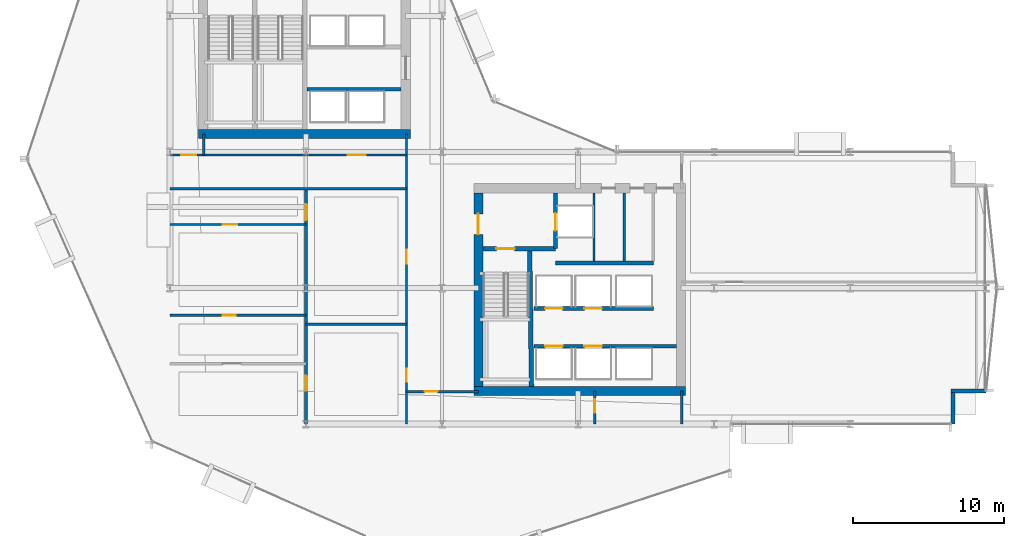
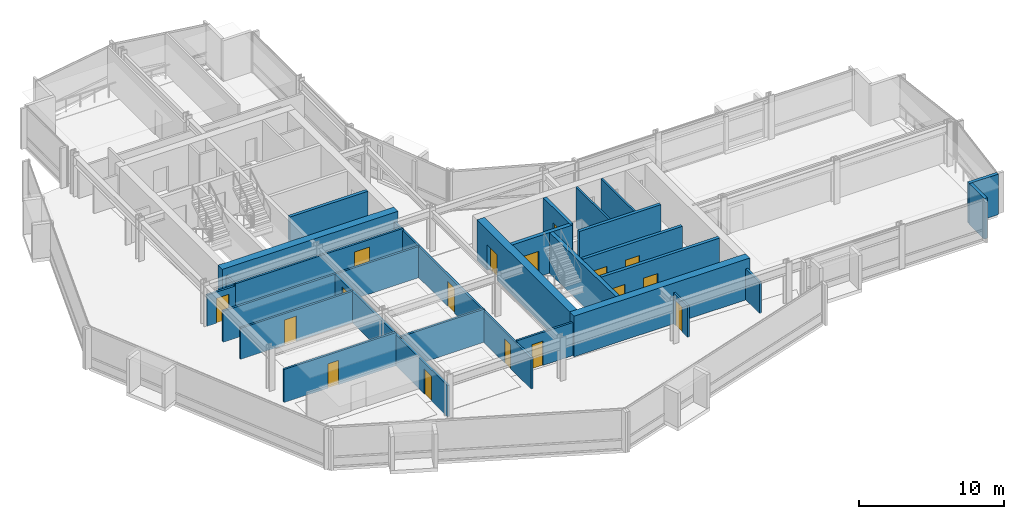
# One storey, part 27 of 34: 26 walls, 17 doors, 17 openings.
"""IFC4 building model written with IfcOpenShell, lengths in metres."""

from ifc_helpers import new_model, si_unit, direction, frame, frame_2d, origin, place, context, subcontext, project, spatial, rectangle, extrude, material, layer, layer_set, type_object, element, fill, save


model = new_model("IFC4")

# Units and contexts
model_context = context("Model", 3, precision=1e-05, world=origin(), true_north=direction((0.0, 1.0)))
body_context = subcontext(model_context, "Body", "Model", "MODEL_VIEW")
ifc_project = project(units=[si_unit("LENGTHUNIT", "METRE"), si_unit("AREAUNIT", "SQUARE_METRE"), si_unit("VOLUMEUNIT", "CUBIC_METRE"), si_unit("PLANEANGLEUNIT", "RADIAN"), si_unit("MASSUNIT", "GRAM", prefix="KILO")], contexts=[model_context])

# Site, building, storey
site_placement = place(None, origin())
site = spatial("IfcSite", under=ifc_project, at=site_placement, CompositionType="ELEMENT")
building_placement = place(site_placement, origin())
building = spatial("IfcBuilding", under=site, at=building_placement, Name="Solvaryn Broadcast Tower", CompositionType="ELEMENT")
storey_placement = place(building_placement, frame((0.0, 0.0, 61.89990234375)))
storey = spatial("IfcBuildingStorey", under=building, at=storey_placement, Name="L14", CompositionType="ELEMENT", Elevation=61.89990234375)

# Walls
ifc_material_1 = material(Name="Concrete f'c 70 MPa", Category="concrete")
ifc_layer_1 = layer(ifc_material_1, 0.60009765625)
ifc_layer_set_1 = layer_set([ifc_layer_1], Name="CW-SHEAR-600")
wall_type_1 = type_object("IfcWallType", Name="CW-SHEAR-600", PredefinedType="SHEAR", material=ifc_layer_set_1)
for number, where, z_axis, x_axis, name in (
    (1, (10.89990234375, 28.199951171875, 0.0), (0.0, 0.0, 1.0), (1.0, 0.0, 0.0), "L14 West Core South Shear Wall"),
    (2, (29.10009765625, 11.199951171875, 0.0), (0.0, 0.0, 1.0), (1.0, 0.0, 0.0), "L14 East Core South Shear Wall"),
):
    element("IfcWall", number, at=place(storey_placement, frame(where, z_axis=z_axis, x_axis=x_axis)), inside=storey, type_object=wall_type_1, Name=name, PredefinedType="SHEAR", context=body_context, shape_type="SweptSolid", body=[
        extrude(rectangle(XDim=14.0, YDim=0.60009765625, at=frame_2d((7.0, 0.0))), origin(), (0.0, 0.0, 1.0), 3.420166015625),
    ])

# Wall, opening, door
wall_1_placement = place(storey_placement, frame((29.39990234375, 24.300048828125, 0.0), z_axis=(0.0, 0.0, 1.0), x_axis=(0.0, -1.0, 0.0)))
wall_1 = element("IfcWall", 3, at=wall_1_placement, inside=storey, type_object=wall_type_1, Name="L14 East Core West Shear Wall", PredefinedType="SHEAR", context=body_context, shape_type="SweptSolid", body=[
    extrude(rectangle(XDim=12.800048828125, YDim=0.60009765625, at=frame_2d((6.39990234375, 0.0))), origin(), (0.0, 0.0, 1.0), 3.420166015625),
])
opening_1_placement = place(wall_1_placement, frame((1.39990234375, 0.0, 0.0)))
opening_1 = element("IfcOpeningElement", 4, at=opening_1_placement, cuts=wall_1, Name="Opening FD90B", PredefinedType="OPENING", context=body_context, shape_type="SweptSolid", body=[
    extrude(rectangle(XDim=1.35009765625, YDim=2.14990234375, at=frame_2d((0.675048828125, 1.074951171875))), frame((0.0, 0.31005859375, 0.0), z_axis=(0.0, -1.0, 0.0), x_axis=(1.0, 0.0, 0.0)), (0.0, 0.0, 1.0), 0.6201171875),
])
ifc_material_2 = material(Name="Flush Acoustic Steel and Timber Door Assembly", Category="steel")
door_type_1 = type_object("IfcDoorType", Name="FD90-LOBBY-1350X2150", OperationType="NOTDEFINED", PredefinedType="DOOR", material=ifc_material_2)
door_1_placement = place(opening_1_placement, origin())
door_1 = element("IfcDoor", 5, at=door_1_placement, inside=storey, type_object=door_type_1, Name="L14 East FSAE Lobby Door", OperationType="SINGLE_SWING_RIGHT", OverallHeight=2.14990234375, OverallWidth=1.35009765625, PredefinedType="DOOR", context=body_context, shape_type="SweptSolid", body=[
    extrude(rectangle(XDim=1.35009765625, YDim=2.14990234375, at=frame_2d((0.675048828125, 1.074951171875))), frame((0.0, 0.02490234375, 0.0), z_axis=(0.0, -1.0, 0.0), x_axis=(1.0, 0.0, 0.0)), (0.0, 0.0, 1.0), 0.050048828125),
])
fill(opening_1, door_1)

# Walls
ifc_material_3 = material(Name="Concrete f'c 50 MPa", Category="concrete")
ifc_layer_2 = layer(ifc_material_3, 0.260009765625)
ifc_layer_set_2 = layer_set([ifc_layer_2], Name="EW-PIER-260")
wall_type_2 = type_object("IfcWallType", Name="EW-PIER-260", PredefinedType="SOLIDWALL", material=ifc_layer_set_2)
wall_2_placement = place(storey_placement, frame((60.800048828125, 9.0, 0.0), z_axis=(0.0, 0.0, 1.0), x_axis=(0.0, 1.0, 0.0)))
element("IfcWall", 6, at=wall_2_placement, inside=storey, type_object=wall_type_2, Name="L14 Notched Corner Pier Wall NSE1", PredefinedType="SOLIDWALL", context=body_context, shape_type="SweptSolid", body=[
    extrude(rectangle(XDim=2.080078125, YDim=0.260009765625, at=frame_2d((1.0400390625, 0.0))), origin(), (0.0, 0.0, 1.0), 3.420166015625),
])
wall_3_placement = place(storey_placement, frame((60.679931640625, 11.199951171875, 0.0), z_axis=(0.0, 0.0, 1.0), x_axis=(1.0, 0.0, 0.0)))
element("IfcWall", 7, at=wall_3_placement, inside=storey, type_object=wall_type_2, Name="L14 Notched Corner Pier Wall NSE2", PredefinedType="SOLIDWALL", context=body_context, shape_type="SweptSolid", body=[
    extrude(rectangle(XDim=2.320068359375, YDim=0.260009765625, at=frame_2d((1.16015625, 0.0))), origin(), (0.0, 0.0, 1.0), 3.420166015625),
])
ifc_material_4 = material(Name="Metal-Stud Service Core Partition")
ifc_layer_3 = layer(ifc_material_4, 0.14990234375)
ifc_layer_set_3 = layer_set([ifc_layer_3], Name="IW-PART-150")
wall_type_3 = type_object("IfcWallType", Name="IW-PART-150", PredefinedType="PARTITIONING", material=ifc_layer_set_3)
for number, where, z_axis, x_axis, name in (
    (8, (37.050048828125, 19.780029296875, 0.0), (0.0, 0.0, 1.0), (0.0, 1.0, 0.0), "L14 Interior Partition IW-L14-CE-FL2E"),
    (9, (39.050048828125, 19.780029296875, 0.0), (0.0, 0.0, 1.0), (0.0, 1.0, 0.0), "L14 Interior Partition IW-L14-CE-V1"),
):
    element("IfcWall", number, at=place(storey_placement, frame(where, z_axis=z_axis, x_axis=x_axis)), inside=storey, type_object=wall_type_3, Name=name, PredefinedType="PARTITIONING", context=body_context, shape_type="SweptSolid", body=[
        extrude(rectangle(XDim=4.52001953125, YDim=0.14990234375, at=frame_2d((2.260009765625, 0.0))), origin(), (0.0, 0.0, 1.0), 3.420166015625),
    ])

# Wall, opening, door
wall_4_placement = place(storey_placement, frame((37.10009765625, 9.0, 0.0), z_axis=(0.0, 0.0, 1.0), x_axis=(0.0, 1.0, 0.0)))
wall_4 = element("IfcWall", 10, at=wall_4_placement, inside=storey, type_object=wall_type_3, Name="L14 Interior Partition IW-L14-SC-V", PredefinedType="PARTITIONING", context=body_context, shape_type="SweptSolid", body=[
    extrude(rectangle(XDim=2.199951171875, YDim=0.14990234375, at=frame_2d((1.10009765625, 0.0))), origin(), (0.0, 0.0, 1.0), 2.627197265625),
])
opening_2_placement = place(wall_4_placement, frame((0.75, 0.0, 0.0)))
opening_2 = element("IfcOpeningElement", 11, at=opening_2_placement, cuts=wall_4, Name="Opening FD60C", PredefinedType="OPENING", context=body_context, shape_type="SweptSolid", body=[
    extrude(rectangle(XDim=0.89990234375, YDim=2.10009765625, at=frame_2d((0.449951171875, 1.050048828125))), frame((0.0, 0.0849609375, 0.0), z_axis=(0.0, -1.0, 0.0), x_axis=(1.0, 0.0, 0.0)), (0.0, 0.0, 1.0), 0.169921875),
])
ifc_material_5 = material(Name="Flush Acoustic Steel and Timber Door Assembly", Category="steel")
door_type_2 = type_object("IfcDoorType", Name="FD60-SERV-900X2100", OperationType="NOTDEFINED", PredefinedType="DOOR", material=ifc_material_5)
door_2_placement = place(opening_2_placement, origin())
door_2 = element("IfcDoor", 12, at=door_2_placement, inside=storey, type_object=door_type_2, Name="L14 Door DR-L14-SC1", OperationType="SINGLE_SWING_RIGHT", OverallHeight=2.10009765625, OverallWidth=0.89990234375, PredefinedType="DOOR", context=body_context, shape_type="SweptSolid", body=[
    extrude(rectangle(XDim=0.89990234375, YDim=2.10009765625, at=frame_2d((0.449951171875, 1.050048828125))), frame((0.0, 0.02490234375, 0.0), z_axis=(0.0, -1.0, 0.0), x_axis=(1.0, 0.0, 0.0)), (0.0, 0.0, 1.0), 0.050048828125),
])
fill(opening_2, door_2)

ifc_material_6 = material(Name="Metal-Stud Gypsum Office Partition")
ifc_layer_4 = layer(ifc_material_6, 0.159912109375)
ifc_layer_set_4 = layer_set([ifc_layer_4], Name="IW-PART-160")
wall_type_4 = type_object("IfcWallType", Name="IW-PART-160", PredefinedType="PARTITIONING", material=ifc_layer_set_4)
wall_5_placement = place(storey_placement, frame((9.0, 26.800048828125, 0.0), z_axis=(0.0, 0.0, 1.0), x_axis=(1.0, 0.0, 0.0)))
wall_5 = element("IfcWall", 13, at=wall_5_placement, inside=storey, type_object=wall_type_4, Name="L14 Interior Partition IW-L14-WM-S", PredefinedType="PARTITIONING", context=body_context, shape_type="SweptSolid", body=[
    extrude(rectangle(XDim=2.25, YDim=0.159912109375, at=frame_2d((1.125, 0.0))), origin(), (0.0, 0.0, 1.0), 2.627197265625),
])
opening_3_placement = place(wall_5_placement, frame((0.75, 0.0, 0.0)))
opening_3 = element("IfcOpeningElement", 14, at=opening_3_placement, cuts=wall_5, Name="Opening ID02", PredefinedType="OPENING", context=body_context, shape_type="SweptSolid", body=[
    extrude(rectangle(XDim=1.0, YDim=2.10009765625, at=frame_2d((0.5, 1.050048828125))), frame((0.0, 0.090087890625, 0.0), z_axis=(0.0, -1.0, 0.0), x_axis=(1.0, 0.0, 0.0)), (0.0, 0.0, 1.0), 0.179931640625),
])
ifc_material_7 = material(Name="Flush Acoustic Steel and Timber Door Assembly", Category="steel")
door_type_3 = type_object("IfcDoorType", Name="ID-02-1000X2100", OperationType="NOTDEFINED", PredefinedType="DOOR", material=ifc_material_7)
door_3_placement = place(opening_3_placement, origin())
door_3 = element("IfcDoor", 15, at=door_3_placement, inside=storey, type_object=door_type_3, Name="L14 Door DR-L14-WM0", OperationType="SINGLE_SWING_RIGHT", OverallHeight=2.10009765625, OverallWidth=1.0, PredefinedType="DOOR", context=body_context, shape_type="SweptSolid", body=[
    extrude(rectangle(XDim=1.0, YDim=2.10009765625, at=frame_2d((0.5, 1.050048828125))), frame((0.0, 0.02490234375, 0.0), z_axis=(0.0, -1.0, 0.0), x_axis=(1.0, 0.0, 0.0)), (0.0, 0.0, 1.0), 0.050048828125),
])
fill(opening_3, door_3)

# Wall, openings, doors
wall_6_placement = place(storey_placement, frame((24.64990234375, 9.0, 0.0), z_axis=(0.0, 0.0, 1.0), x_axis=(0.0, 1.0, 0.0)))
wall_6 = element("IfcWall", 16, at=wall_6_placement, inside=storey, type_object=wall_type_4, Name="L14 Interior Partition IW-L14-SW-EB", PredefinedType="PARTITIONING", context=body_context, shape_type="SweptSolid", body=[
    extrude(rectangle(XDim=19.199951171875, YDim=0.159912109375, at=frame_2d((9.60009765625, 0.0))), origin(), (0.0, 0.0, 1.0), 2.627197265625),
])
opening_4_placement = place(wall_6_placement, frame((2.800048828125, 0.0, 0.0)))
opening_4 = element("IfcOpeningElement", 17, at=opening_4_placement, cuts=wall_6, Name="Opening ID07", PredefinedType="OPENING", context=body_context, shape_type="SweptSolid", body=[
    extrude(rectangle(XDim=0.860107421875, YDim=2.050048828125, at=frame_2d((0.43017578125, 1.02490234375))), frame((0.0, 0.090087890625, 0.0), z_axis=(0.0, -1.0, 0.0), x_axis=(1.0, 0.0, 0.0)), (0.0, 0.0, 1.0), 0.179931640625),
])
opening_5_placement = place(wall_6_placement, frame((10.590087890625, 0.0, 0.0)))
opening_5 = element("IfcOpeningElement", 18, at=opening_5_placement, cuts=wall_6, Name="Opening ID01", PredefinedType="OPENING", context=body_context, shape_type="SweptSolid", body=[
    extrude(rectangle(XDim=0.949951171875, YDim=2.10009765625, at=frame_2d((0.47509765625, 1.050048828125))), frame((0.0, 0.090087890625, 0.0), z_axis=(0.0, -1.0, 0.0), x_axis=(1.0, 0.0, 0.0)), (0.0, 0.0, 1.0), 0.179931640625),
])
ifc_material_8 = material(Name="Flush Acoustic Steel and Timber Door Assembly", Category="steel")
door_type_4 = type_object("IfcDoorType", Name="ID-01-950X2100", OperationType="NOTDEFINED", PredefinedType="DOOR", material=ifc_material_8)
door_4_placement = place(opening_5_placement, origin())
door_4 = element("IfcDoor", 19, at=door_4_placement, inside=storey, type_object=door_type_4, Name="L14 Door DR-L14-SWE-2", OperationType="SINGLE_SWING_RIGHT", OverallHeight=2.10009765625, OverallWidth=0.949951171875, PredefinedType="DOOR", context=body_context, shape_type="SweptSolid", body=[
    extrude(rectangle(XDim=0.949951171875, YDim=2.10009765625, at=frame_2d((0.47509765625, 1.050048828125))), frame((0.0, 0.02490234375, 0.0), z_axis=(0.0, -1.0, 0.0), x_axis=(1.0, 0.0, 0.0)), (0.0, 0.0, 1.0), 0.050048828125),
])
fill(opening_5, door_4)
ifc_material_9 = material(Name="Flush Acoustic Steel and Timber Door Assembly", Category="steel")
door_type_5 = type_object("IfcDoorType", Name="ID-07-860X2050", OperationType="NOTDEFINED", PredefinedType="DOOR", material=ifc_material_9)
door_5_placement = place(opening_4_placement, origin())
door_5 = element("IfcDoor", 20, at=door_5_placement, inside=storey, type_object=door_type_5, Name="L14 Door DR-L14-SWE-1", OperationType="SINGLE_SWING_LEFT", OverallHeight=2.050048828125, OverallWidth=0.860107421875, PredefinedType="DOOR", context=body_context, shape_type="SweptSolid", body=[
    extrude(rectangle(XDim=0.860107421875, YDim=2.050048828125, at=frame_2d((0.43017578125, 1.02490234375))), frame((0.0, 0.02490234375, 0.0), z_axis=(0.0, -1.0, 0.0), x_axis=(1.0, 0.0, 0.0)), (0.0, 0.0, 1.0), 0.050048828125),
])
fill(opening_4, door_5)

# Wall
wall_7_placement = place(storey_placement, frame((9.0, 24.580078125, 0.0), z_axis=(0.0, 0.0, 1.0), x_axis=(1.0, 0.0, 0.0)))
element("IfcWall", 21, at=wall_7_placement, inside=storey, type_object=wall_type_4, Name="L14 Interior Partition IW-L14-SW-NB", PredefinedType="PARTITIONING", context=body_context, shape_type="SweptSolid", body=[
    extrude(rectangle(XDim=15.64990234375, YDim=0.159912109375, at=frame_2d((7.824951171875, 0.0))), origin(), (0.0, 0.0, 1.0), 2.627197265625),
])

# Wall, opening, door
wall_8_placement = place(storey_placement, frame((11.25, 26.800048828125, 0.0), z_axis=(0.0, 0.0, 1.0), x_axis=(1.0, 0.0, 0.0)))
wall_8 = element("IfcWall", 22, at=wall_8_placement, inside=storey, type_object=wall_type_4, Name="L14 Interior Partition IW-L14-SW-N2", PredefinedType="PARTITIONING", context=body_context, shape_type="SweptSolid", body=[
    extrude(rectangle(XDim=13.39990234375, YDim=0.159912109375, at=frame_2d((6.699951171875, 0.0))), origin(), (0.0, 0.0, 1.0), 2.7890625),
])
opening_6_placement = place(wall_8_placement, frame((9.5, 0.0, 0.0)))
opening_6 = element("IfcOpeningElement", 23, at=opening_6_placement, cuts=wall_8, Name="Opening ID04", PredefinedType="OPENING", context=body_context, shape_type="SweptSolid", body=[
    extrude(rectangle(XDim=1.199951171875, YDim=2.14990234375, at=frame_2d((0.60009765625, 1.074951171875))), frame((0.0, 0.090087890625, 0.0), z_axis=(0.0, -1.0, 0.0), x_axis=(1.0, 0.0, 0.0)), (0.0, 0.0, 1.0), 0.179931640625),
])
ifc_material_10 = material(Name="Flush Acoustic Steel and Timber Door Assembly", Category="steel")
door_type_6 = type_object("IfcDoorType", Name="ID-04-1200X2150", OperationType="NOTDEFINED", PredefinedType="DOOR", material=ifc_material_10)
door_6_placement = place(opening_6_placement, origin())
door_6 = element("IfcDoor", 24, at=door_6_placement, inside=storey, type_object=door_type_6, Name="L14 Door DR-L14-SW-ALC", OperationType="SINGLE_SWING_RIGHT", OverallHeight=2.14990234375, OverallWidth=1.199951171875, PredefinedType="DOOR", context=body_context, shape_type="SweptSolid", body=[
    extrude(rectangle(XDim=1.199951171875, YDim=2.14990234375, at=frame_2d((0.60009765625, 1.074951171875))), frame((0.0, 0.02490234375, 0.0), z_axis=(0.0, -1.0, 0.0), x_axis=(1.0, 0.0, 0.0)), (0.0, 0.0, 1.0), 0.050048828125),
])
fill(opening_6, door_6)

# Walls
wall_9_placement = place(storey_placement, frame((11.25, 26.800048828125, 0.0), z_axis=(0.0, 0.0, 1.0), x_axis=(0.0, 1.0, 0.0)))
element("IfcWall", 25, at=wall_9_placement, inside=storey, type_object=wall_type_4, Name="L14 Interior Partition IW-L14-SW-ALW", PredefinedType="PARTITIONING", context=body_context, shape_type="SweptSolid", body=[
    extrude(rectangle(XDim=1.39990234375, YDim=0.159912109375, at=frame_2d((0.699951171875, 0.0))), origin(), (0.0, 0.0, 1.0), 2.7890625),
])
wall_10_placement = place(storey_placement, frame((18.0, 15.60009765625, 0.0), z_axis=(0.0, 0.0, 1.0), x_axis=(1.0, 0.0, 0.0)))
element("IfcWall", 26, at=wall_10_placement, inside=storey, type_object=wall_type_4, Name="L14 Interior Partition IW-L14-SWE-H1", PredefinedType="PARTITIONING", context=body_context, shape_type="SweptSolid", body=[
    extrude(rectangle(XDim=6.64990234375, YDim=0.159912109375, at=frame_2d((3.324951171875, 0.0))), origin(), (0.0, 0.0, 1.0), 2.7890625),
])

# Wall, opening, door
wall_11_placement = place(storey_placement, frame((9.0, 16.199951171875, 0.0), z_axis=(0.0, 0.0, 1.0), x_axis=(1.0, 0.0, 0.0)))
wall_11 = element("IfcWall", 27, at=wall_11_placement, inside=storey, type_object=wall_type_4, Name="L14 Interior Partition IW-L14-SWW-H2", PredefinedType="PARTITIONING", context=body_context, shape_type="SweptSolid", body=[
    extrude(rectangle(XDim=9.0, YDim=0.159912109375, at=frame_2d((4.5, 0.0))), origin(), (0.0, 0.0, 1.0), 2.7919921875),
])
opening_7_placement = place(wall_11_placement, frame((3.5, 0.0, 0.0)))
opening_7 = element("IfcOpeningElement", 28, at=opening_7_placement, cuts=wall_11, Name="Opening ID07", PredefinedType="OPENING", context=body_context, shape_type="SweptSolid", body=[
    extrude(rectangle(XDim=0.860107421875, YDim=2.050048828125, at=frame_2d((0.43017578125, 1.02490234375))), frame((0.0, 0.090087890625, 0.0), z_axis=(0.0, -1.0, 0.0), x_axis=(1.0, 0.0, 0.0)), (0.0, 0.0, 1.0), 0.179931640625),
])
door_7_placement = place(opening_7_placement, origin())
door_7 = element("IfcDoor", 29, at=door_7_placement, inside=storey, type_object=door_type_5, Name="L14 Door DR-L14-SWW-2", OperationType="SINGLE_SWING_RIGHT", OverallHeight=2.050048828125, OverallWidth=0.860107421875, PredefinedType="DOOR", context=body_context, shape_type="SweptSolid", body=[
    extrude(rectangle(XDim=0.860107421875, YDim=2.050048828125, at=frame_2d((0.43017578125, 1.02490234375))), frame((0.0, 0.02490234375, 0.0), z_axis=(0.0, -1.0, 0.0), x_axis=(1.0, 0.0, 0.0)), (0.0, 0.0, 1.0), 0.050048828125),
])
fill(opening_7, door_7)

wall_12_placement = place(storey_placement, frame((9.0, 22.199951171875, 0.0), z_axis=(0.0, 0.0, 1.0), x_axis=(1.0, 0.0, 0.0)))
wall_12 = element("IfcWall", 30, at=wall_12_placement, inside=storey, type_object=wall_type_4, Name="L14 Interior Partition IW-L14-SWW-H3", PredefinedType="PARTITIONING", context=body_context, shape_type="SweptSolid", body=[
    extrude(rectangle(XDim=9.0, YDim=0.159912109375, at=frame_2d((4.5, 0.0))), origin(), (0.0, 0.0, 1.0), 2.627197265625),
])
opening_8_placement = place(wall_12_placement, frame((3.5, 0.0, 0.0)))
opening_8 = element("IfcOpeningElement", 31, at=opening_8_placement, cuts=wall_12, Name="Opening ID01", PredefinedType="OPENING", context=body_context, shape_type="SweptSolid", body=[
    extrude(rectangle(XDim=0.949951171875, YDim=2.10009765625, at=frame_2d((0.47509765625, 1.050048828125))), frame((0.0, 0.090087890625, 0.0), z_axis=(0.0, -1.0, 0.0), x_axis=(1.0, 0.0, 0.0)), (0.0, 0.0, 1.0), 0.179931640625),
])
door_8_placement = place(opening_8_placement, origin())
door_8 = element("IfcDoor", 32, at=door_8_placement, inside=storey, type_object=door_type_4, Name="L14 Door DR-L14-SWW-3", OperationType="SINGLE_SWING_LEFT", OverallHeight=2.10009765625, OverallWidth=0.949951171875, PredefinedType="DOOR", context=body_context, shape_type="SweptSolid", body=[
    extrude(rectangle(XDim=0.949951171875, YDim=2.10009765625, at=frame_2d((0.47509765625, 1.050048828125))), frame((0.0, 0.02490234375, 0.0), z_axis=(0.0, -1.0, 0.0), x_axis=(1.0, 0.0, 0.0)), (0.0, 0.0, 1.0), 0.050048828125),
])
fill(opening_8, door_8)

wall_13_placement = place(storey_placement, frame((24.64990234375, 11.14990234375, 0.0), z_axis=(0.0, 0.0, 1.0), x_axis=(1.0, 0.0, 0.0)))
wall_13 = element("IfcWall", 33, at=wall_13_placement, inside=storey, type_object=wall_type_4, Name="L14 Interior Partition IW-L14-SC-N", PredefinedType="PARTITIONING", context=body_context, shape_type="SweptSolid", body=[
    extrude(rectangle(XDim=4.75, YDim=0.159912109375, at=frame_2d((2.375, 0.0))), origin(), (0.0, 0.0, 1.0), 2.7919921875),
])
opening_9_placement = place(wall_13_placement, frame((1.199951171875, 0.0, 0.0)))
opening_9 = element("IfcOpeningElement", 34, at=opening_9_placement, cuts=wall_13, Name="Opening ID07", PredefinedType="OPENING", context=body_context, shape_type="SweptSolid", body=[
    extrude(rectangle(XDim=0.860107421875, YDim=2.050048828125, at=frame_2d((0.43017578125, 1.02490234375))), frame((0.0, 0.090087890625, 0.0), z_axis=(0.0, -1.0, 0.0), x_axis=(1.0, 0.0, 0.0)), (0.0, 0.0, 1.0), 0.179931640625),
])
door_9_placement = place(opening_9_placement, origin())
door_9 = element("IfcDoor", 35, at=door_9_placement, inside=storey, type_object=door_type_5, Name="L14 Door DR-L14-SC0", OperationType="SINGLE_SWING_LEFT", OverallHeight=2.050048828125, OverallWidth=0.860107421875, PredefinedType="DOOR", context=body_context, shape_type="SweptSolid", body=[
    extrude(rectangle(XDim=0.860107421875, YDim=2.050048828125, at=frame_2d((0.43017578125, 1.02490234375))), frame((0.0, 0.02490234375, 0.0), z_axis=(0.0, -1.0, 0.0), x_axis=(1.0, 0.0, 0.0)), (0.0, 0.0, 1.0), 0.050048828125),
])
fill(opening_9, door_9)

# Wall
wall_14_placement = place(storey_placement, frame((42.85009765625, 9.0, 0.0), z_axis=(0.0, 0.0, 1.0), x_axis=(0.0, 1.0, 0.0)))
element("IfcWall", 36, at=wall_14_placement, inside=storey, type_object=wall_type_4, Name="L14 Interior Partition IW-L14-SC-E", PredefinedType="PARTITIONING", context=body_context, shape_type="SweptSolid", body=[
    extrude(rectangle(XDim=2.199951171875, YDim=0.159912109375, at=frame_2d((1.10009765625, 0.0))), origin(), (0.0, 0.0, 1.0), 2.627197265625),
])

# Wall, openings, doors
ifc_material_11 = material(Name="Acoustic Metal-Stud Gypsum Partition")
ifc_layer_5 = layer(ifc_material_11, 0.179931640625)
ifc_layer_set_5 = layer_set([ifc_layer_5], Name="IW-PART-180")
wall_type_5 = type_object("IfcWallType", Name="IW-PART-180", PredefinedType="PARTITIONING", material=ifc_layer_set_5)
wall_15_placement = place(storey_placement, frame((18.0, 9.0, 0.0), z_axis=(0.0, 0.0, 1.0), x_axis=(0.0, 1.0, 0.0)))
wall_15 = element("IfcWall", 37, at=wall_15_placement, inside=storey, type_object=wall_type_5, Name="L14 Interior Partition IW-L14-SW-VX", PredefinedType="PARTITIONING", context=body_context, shape_type="SweptSolid", body=[
    extrude(rectangle(XDim=15.580078125, YDim=0.179931640625, at=frame_2d((7.7900390625, 0.0))), origin(), (0.0, 0.0, 1.0), 2.627197265625),
])
opening_10_placement = place(wall_15_placement, frame((2.199951171875, 0.0, 0.0)))
opening_10 = element("IfcOpeningElement", 38, at=opening_10_placement, cuts=wall_15, Name="Opening ID02", PredefinedType="OPENING", context=body_context, shape_type="SweptSolid", body=[
    extrude(rectangle(XDim=1.0, YDim=2.10009765625, at=frame_2d((0.5, 1.050048828125))), frame((0.0, 0.099853515625, 0.0), z_axis=(0.0, -1.0, 0.0), x_axis=(1.0, 0.0, 0.0)), (0.0, 0.0, 1.0), 0.199951171875),
])
opening_11_placement = place(wall_15_placement, frame((13.5, 0.0, 0.0)))
opening_11 = element("IfcOpeningElement", 39, at=opening_11_placement, cuts=wall_15, Name="Opening ID03", PredefinedType="OPENING", context=body_context, shape_type="SweptSolid", body=[
    extrude(rectangle(XDim=1.050048828125, YDim=2.14990234375, at=frame_2d((0.52490234375, 1.074951171875))), frame((0.0, 0.099853515625, 0.0), z_axis=(0.0, -1.0, 0.0), x_axis=(1.0, 0.0, 0.0)), (0.0, 0.0, 1.0), 0.199951171875),
])
door_10_placement = place(opening_10_placement, origin())
door_10 = element("IfcDoor", 40, at=door_10_placement, inside=storey, type_object=door_type_3, Name="L14 Door DR-L14-SWW-X1", OperationType="SINGLE_SWING_LEFT", OverallHeight=2.10009765625, OverallWidth=1.0, PredefinedType="DOOR", context=body_context, shape_type="SweptSolid", body=[
    extrude(rectangle(XDim=1.0, YDim=2.10009765625, at=frame_2d((0.5, 1.050048828125))), frame((0.0, 0.02490234375, 0.0), z_axis=(0.0, -1.0, 0.0), x_axis=(1.0, 0.0, 0.0)), (0.0, 0.0, 1.0), 0.050048828125),
])
fill(opening_10, door_10)
ifc_material_12 = material(Name="Flush Acoustic Steel and Timber Door Assembly", Category="steel")
door_type_7 = type_object("IfcDoorType", Name="ID-03-1050X2150", OperationType="NOTDEFINED", PredefinedType="DOOR", material=ifc_material_12)
door_11_placement = place(opening_11_placement, origin())
door_11 = element("IfcDoor", 41, at=door_11_placement, inside=storey, type_object=door_type_7, Name="L14 Door DR-L14-SWW-X2", OperationType="SINGLE_SWING_RIGHT", OverallHeight=2.14990234375, OverallWidth=1.050048828125, PredefinedType="DOOR", context=body_context, shape_type="SweptSolid", body=[
    extrude(rectangle(XDim=1.050048828125, YDim=2.14990234375, at=frame_2d((0.52490234375, 1.074951171875))), frame((0.0, 0.02490234375, 0.0), z_axis=(0.0, -1.0, 0.0), x_axis=(1.0, 0.0, 0.0)), (0.0, 0.0, 1.0), 0.050048828125),
])
fill(opening_11, door_11)

# Wall
ifc_material_13 = material(Name="Concrete f'c 60 MPa", Category="concrete")
ifc_layer_6 = layer(ifc_material_13, 0.25)
ifc_layer_set_6 = layer_set([ifc_layer_6], Name="SW-SHAFT-250")
wall_type_6 = type_object("IfcWallType", Name="SW-SHAFT-250", PredefinedType="PARTITIONING", material=ifc_layer_set_6)
wall_16_placement = place(storey_placement, frame((18.070068359375, 31.14990234375, 0.0), z_axis=(0.0, 0.0, 1.0), x_axis=(1.0, 0.0, 0.0)))
element("IfcWall", 42, at=wall_16_placement, inside=storey, type_object=wall_type_6, Name="L14 High-Rise Lift Bank South Wall", PredefinedType="PARTITIONING", context=body_context, shape_type="SweptSolid", body=[
    extrude(rectangle(XDim=6.22998046875, YDim=0.25, at=frame_2d((3.114990234375, 0.0))), origin(), (0.0, 0.0, 1.0), 3.420166015625),
])

# Wall, opening, door
wall_17_placement = place(storey_placement, frame((34.5, 20.60009765625, 0.0), z_axis=(0.0, 0.0, 1.0), x_axis=(0.0, 1.0, 0.0)))
wall_17 = element("IfcWall", 43, at=wall_17_placement, inside=storey, type_object=wall_type_6, Name="L14 East FSAE Lobby East Wall", PredefinedType="PARTITIONING", context=body_context, shape_type="SweptSolid", body=[
    extrude(rectangle(XDim=3.699951171875, YDim=0.25, at=frame_2d((1.85009765625, 0.0))), origin(), (0.0, 0.0, 1.0), 3.420166015625),
])
opening_12_placement = place(wall_17_placement, frame((1.199951171875, 0.0, 0.0)))
opening_12 = element("IfcOpeningElement", 44, at=opening_12_placement, cuts=wall_17, Name="Opening LD01", PredefinedType="OPENING", context=body_context, shape_type="SweptSolid", body=[
    extrude(rectangle(XDim=1.14990234375, YDim=2.14990234375, at=frame_2d((0.574951171875, 1.074951171875))), frame((0.0, 0.135009765625, 0.0), z_axis=(0.0, -1.0, 0.0), x_axis=(1.0, 0.0, 0.0)), (0.0, 0.0, 1.0), 0.27001953125),
])
ifc_material_14 = material(Name="Flush Acoustic Steel and Timber Door Assembly", Category="steel")
door_type_8 = type_object("IfcDoorType", Name="LD-LIFT-1150X2150", OperationType="NOTDEFINED", PredefinedType="DOOR", material=ifc_material_14)
door_12_placement = place(opening_12_placement, origin())
door_12 = element("IfcDoor", 45, at=door_12_placement, inside=storey, type_object=door_type_8, Name="L14 FL2 Lift Landing Door", OperationType="DOUBLE_DOOR_SLIDING", OverallHeight=2.14990234375, OverallWidth=1.14990234375, PredefinedType="DOOR", context=body_context, shape_type="SweptSolid", body=[
    extrude(rectangle(XDim=1.14990234375, YDim=2.14990234375, at=frame_2d((0.574951171875, 1.074951171875))), frame((0.0, 0.02490234375, 0.0), z_axis=(0.0, -1.0, 0.0), x_axis=(1.0, 0.0, 0.0)), (0.0, 0.0, 1.0), 0.050048828125),
])
fill(opening_12, door_12)

# Wall
wall_18_placement = place(storey_placement, frame((34.5, 19.64990234375, 0.0), z_axis=(0.0, 0.0, 1.0), x_axis=(1.0, 0.0, 0.0)))
element("IfcWall", 46, at=wall_18_placement, inside=storey, type_object=wall_type_6, Name="L14 East Core Restroom South Wall", PredefinedType="PARTITIONING", context=body_context, shape_type="SweptSolid", body=[
    extrude(rectangle(XDim=6.47998046875, YDim=0.25, at=frame_2d((3.239990234375, 0.0))), origin(), (0.0, 0.0, 1.0), 3.420166015625),
])

# Wall, openings, doors
wall_19_placement = place(storey_placement, frame((33.070068359375, 14.14990234375, 0.0), z_axis=(0.0, 0.0, 1.0), x_axis=(1.0, 0.0, 0.0)))
wall_19 = element("IfcWall", 47, at=wall_19_placement, inside=storey, type_object=wall_type_6, Name="L14 East Lift Bank South Wall", PredefinedType="PARTITIONING", context=body_context, shape_type="SweptSolid", body=[
    extrude(rectangle(XDim=9.429931640625, YDim=0.25, at=frame_2d((4.71484375, 0.0))), origin(), (0.0, 0.0, 1.0), 3.420166015625),
])
opening_13_placement = place(wall_19_placement, frame((0.7548828125, 0.0, 0.0)))
opening_13 = element("IfcOpeningElement", 48, at=opening_13_placement, cuts=wall_19, Name="Opening LD01", PredefinedType="OPENING", context=body_context, shape_type="SweptSolid", body=[
    extrude(rectangle(XDim=1.14990234375, YDim=2.14990234375, at=frame_2d((0.574951171875, 1.074951171875))), frame((0.0, 0.135009765625, 0.0), z_axis=(0.0, -1.0, 0.0), x_axis=(1.0, 0.0, 0.0)), (0.0, 0.0, 1.0), 0.27001953125),
])
opening_14_placement = place(wall_19_placement, frame((3.35498046875, 0.0, 0.0)))
opening_14 = element("IfcOpeningElement", 49, at=opening_14_placement, cuts=wall_19, Name="Opening LD01", PredefinedType="OPENING", context=body_context, shape_type="SweptSolid", body=[
    extrude(rectangle(XDim=1.14990234375, YDim=2.14990234375, at=frame_2d((0.574951171875, 1.074951171875))), frame((0.0, 0.135009765625, 0.0), z_axis=(0.0, -1.0, 0.0), x_axis=(1.0, 0.0, 0.0)), (0.0, 0.0, 1.0), 0.27001953125),
])
door_13_placement = place(opening_13_placement, origin())
door_13 = element("IfcDoor", 50, at=door_13_placement, inside=storey, type_object=door_type_8, Name="L14 PL1 Lift Landing Door", OperationType="DOUBLE_DOOR_SLIDING", OverallHeight=2.14990234375, OverallWidth=1.14990234375, PredefinedType="DOOR", context=body_context, shape_type="SweptSolid", body=[
    extrude(rectangle(XDim=1.14990234375, YDim=2.14990234375, at=frame_2d((0.574951171875, 1.074951171875))), frame((0.0, 0.02490234375, 0.0), z_axis=(0.0, -1.0, 0.0), x_axis=(1.0, 0.0, 0.0)), (0.0, 0.0, 1.0), 0.050048828125),
])
fill(opening_13, door_13)
door_14_placement = place(opening_14_placement, origin())
door_14 = element("IfcDoor", 51, at=door_14_placement, inside=storey, type_object=door_type_8, Name="L14 PL2 Lift Landing Door", OperationType="DOUBLE_DOOR_SLIDING", OverallHeight=2.14990234375, OverallWidth=1.14990234375, PredefinedType="DOOR", context=body_context, shape_type="SweptSolid", body=[
    extrude(rectangle(XDim=1.14990234375, YDim=2.14990234375, at=frame_2d((0.574951171875, 1.074951171875))), frame((0.0, 0.02490234375, 0.0), z_axis=(0.0, -1.0, 0.0), x_axis=(1.0, 0.0, 0.0)), (0.0, 0.0, 1.0), 0.050048828125),
])
fill(opening_14, door_14)

wall_20_placement = place(storey_placement, frame((40.97998046875, 16.64990234375, 0.0), z_axis=(0.0, 0.0, 1.0), x_axis=(-1.0, 0.0, 0.0)))
wall_20 = element("IfcWall", 52, at=wall_20_placement, inside=storey, type_object=wall_type_6, Name="L14 East Lift Bank North Wall", PredefinedType="PARTITIONING", context=body_context, shape_type="SweptSolid", body=[
    extrude(rectangle(XDim=7.909912109375, YDim=0.25, at=frame_2d((3.955078125, 0.0))), origin(), (0.0, 0.0, 1.0), 3.420166015625),
])
opening_15_placement = place(wall_20_placement, frame((6.0048828125, 0.0, 0.0)))
opening_15 = element("IfcOpeningElement", 53, at=opening_15_placement, cuts=wall_20, Name="Opening LD01", PredefinedType="OPENING", context=body_context, shape_type="SweptSolid", body=[
    extrude(rectangle(XDim=1.14990234375, YDim=2.14990234375, at=frame_2d((0.574951171875, 1.074951171875))), frame((0.0, 0.135009765625, 0.0), z_axis=(0.0, -1.0, 0.0), x_axis=(1.0, 0.0, 0.0)), (0.0, 0.0, 1.0), 0.27001953125),
])
opening_16_placement = place(wall_20_placement, frame((3.405029296875, 0.0, 0.0)))
opening_16 = element("IfcOpeningElement", 54, at=opening_16_placement, cuts=wall_20, Name="Opening LD01", PredefinedType="OPENING", context=body_context, shape_type="SweptSolid", body=[
    extrude(rectangle(XDim=1.14990234375, YDim=2.14990234375, at=frame_2d((0.574951171875, 1.074951171875))), frame((0.0, 0.135009765625, 0.0), z_axis=(0.0, -1.0, 0.0), x_axis=(1.0, 0.0, 0.0)), (0.0, 0.0, 1.0), 0.27001953125),
])
door_15_placement = place(opening_15_placement, origin())
door_15 = element("IfcDoor", 55, at=door_15_placement, inside=storey, type_object=door_type_8, Name="L14 PL3 Lift Landing Door", OperationType="DOUBLE_DOOR_SLIDING", OverallHeight=2.14990234375, OverallWidth=1.14990234375, PredefinedType="DOOR", context=body_context, shape_type="SweptSolid", body=[
    extrude(rectangle(XDim=1.14990234375, YDim=2.14990234375, at=frame_2d((0.574951171875, 1.074951171875))), frame((0.0, 0.02490234375, 0.0), z_axis=(0.0, -1.0, 0.0), x_axis=(1.0, 0.0, 0.0)), (0.0, 0.0, 1.0), 0.050048828125),
])
fill(opening_15, door_15)
door_16_placement = place(opening_16_placement, origin())
door_16 = element("IfcDoor", 56, at=door_16_placement, inside=storey, type_object=door_type_8, Name="L14 PL4 Lift Landing Door", OperationType="DOUBLE_DOOR_SLIDING", OverallHeight=2.14990234375, OverallWidth=1.14990234375, PredefinedType="DOOR", context=body_context, shape_type="SweptSolid", body=[
    extrude(rectangle(XDim=1.14990234375, YDim=2.14990234375, at=frame_2d((0.574951171875, 1.074951171875))), frame((0.0, 0.02490234375, 0.0), z_axis=(0.0, -1.0, 0.0), x_axis=(1.0, 0.0, 0.0)), (0.0, 0.0, 1.0), 0.050048828125),
])
fill(opening_16, door_16)

# Wall
ifc_material_15 = material(Name="Concrete f'c 70 MPa", Category="concrete")
ifc_layer_7 = layer(ifc_material_15, 0.300048828125)
ifc_layer_set_7 = layer_set([ifc_layer_7], Name="SW-SHAFT-300")
wall_type_7 = type_object("IfcWallType", Name="SW-SHAFT-300", PredefinedType="SHEAR", material=ifc_layer_set_7)
wall_21_placement = place(storey_placement, frame((32.919921875, 11.5, 0.0), z_axis=(0.0, 0.0, 1.0), x_axis=(-0.013244407292, 0.999912288991, 0.0)))
element("IfcWall", 57, at=wall_21_placement, inside=storey, type_object=wall_type_7, Name="L14 Stair 3 East Shear Wall", PredefinedType="SHEAR", context=body_context, shape_type="SweptSolid", body=[
    extrude(rectangle(XDim=9.05078125, YDim=0.300048828125, at=frame_2d((4.525390625, 0.0))), origin(), (0.0, 0.0, 1.0), 3.420166015625),
])

# Wall, opening, door
wall_22_placement = place(storey_placement, frame((34.5, 20.60009765625, 0.0), z_axis=(0.0, 0.0, 1.0), x_axis=(-1.0, 0.0, 0.0)))
wall_22 = element("IfcWall", 58, at=wall_22_placement, inside=storey, type_object=wall_type_7, Name="L14 East FSAE Lobby South Wall", PredefinedType="SHEAR", context=body_context, shape_type="SweptSolid", body=[
    extrude(rectangle(XDim=4.800048828125, YDim=0.300048828125, at=frame_2d((2.39990234375, 0.0))), origin(), (0.0, 0.0, 1.0), 3.420166015625),
])
opening_17_placement = place(wall_22_placement, frame((2.699951171875, 0.0, 0.0)))
opening_17 = element("IfcOpeningElement", 59, at=opening_17_placement, cuts=wall_22, Name="Opening FD90A", PredefinedType="OPENING", context=body_context, shape_type="SweptSolid", body=[
    extrude(rectangle(XDim=1.199951171875, YDim=2.14990234375, at=frame_2d((0.60009765625, 1.074951171875))), frame((0.0, 0.159912109375, 0.0), z_axis=(0.0, -1.0, 0.0), x_axis=(1.0, 0.0, 0.0)), (0.0, 0.0, 1.0), 0.320068359375),
])
ifc_material_16 = material(Name="Flush Acoustic Steel and Timber Door Assembly", Category="steel")
door_type_9 = type_object("IfcDoorType", Name="FD90-STAIR-1200X2150", OperationType="NOTDEFINED", PredefinedType="DOOR", material=ifc_material_16)
door_17_placement = place(opening_17_placement, origin())
door_17 = element("IfcDoor", 60, at=door_17_placement, inside=storey, type_object=door_type_9, Name="L14 Stair 3 Fire Door", OperationType="SINGLE_SWING_LEFT", OverallHeight=2.14990234375, OverallWidth=1.199951171875, PredefinedType="DOOR", context=body_context, shape_type="SweptSolid", body=[
    extrude(rectangle(XDim=1.199951171875, YDim=2.14990234375, at=frame_2d((0.60009765625, 1.074951171875))), frame((0.0, 0.02490234375, 0.0), z_axis=(0.0, -1.0, 0.0), x_axis=(1.0, 0.0, 0.0)), (0.0, 0.0, 1.0), 0.050048828125),
])
fill(opening_17, door_17)

save(model, "model.ifc")
